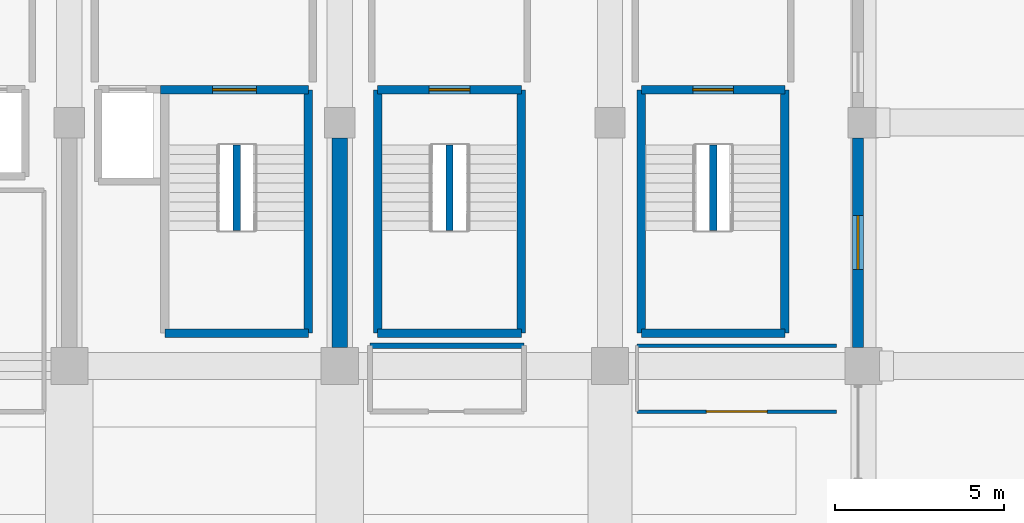
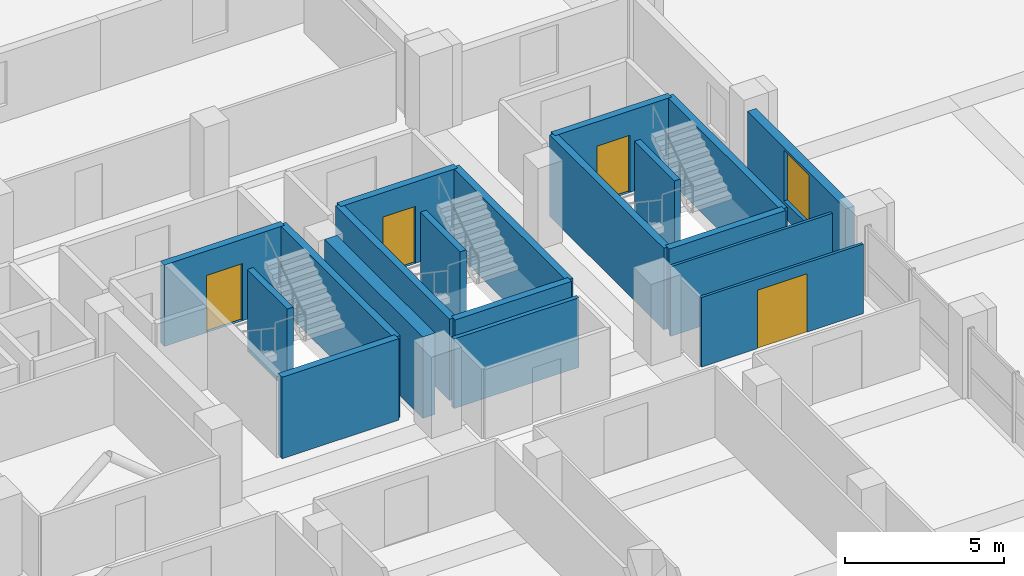
# One storey, part 39 of 49: 19 walls, 4 doors, 1 window, 5 openings.
"""IFC4 building model written with IfcOpenShell, lengths in metres."""

from ifc_helpers import new_model, si_unit, direction, frame, frame_2d, origin, place, context, subcontext, project, spatial, rectangle, extrude, material, layer, layer_set, type_object, element, fill, save


model = new_model("IFC4")

# Units and contexts
model_context = context("Model", 3, precision=1e-05, world=origin(), true_north=direction((0.0, 1.0)))
body_context = subcontext(model_context, "Body", "Model", "MODEL_VIEW")
ifc_project = project(units=[si_unit("LENGTHUNIT", "METRE"), si_unit("AREAUNIT", "SQUARE_METRE"), si_unit("VOLUMEUNIT", "CUBIC_METRE"), si_unit("PLANEANGLEUNIT", "RADIAN"), si_unit("MASSUNIT", "GRAM", prefix="KILO")], contexts=[model_context])

# Site, building, storey
site_placement = place(None, origin())
site = spatial("IfcSite", under=ifc_project, at=site_placement, CompositionType="ELEMENT")
building_placement = place(site_placement, origin())
building = spatial("IfcBuilding", under=site, at=building_placement, Name="Akrevak Sports Hall", CompositionType="ELEMENT")
storey_placement = place(building_placement, frame((0.0, 0.0, 24.14990234375)))
storey = spatial("IfcBuildingStorey", under=building, at=storey_placement, Name="L04", CompositionType="ELEMENT", Elevation=24.14990234375)

# Wall, opening, window
ifc_material_1 = material(Name="Limestone Ashlar", Category="stone")
ifc_layer_1 = layer(ifc_material_1, 0.070068359375, Name="Limestone Ashlar")
ifc_material_2 = material(Name="Mineral Wool Thermal Insulation", Category="insulation")
ifc_layer_2 = layer(ifc_material_2, 0.090087890625, Name="Mineral Wool Thermal Insulation")
ifc_material_3 = material(Name="Concrete C40/50", Category="concrete")
ifc_layer_3 = layer(ifc_material_3, 0.159912109375, Name="Concrete C40/50")
ifc_layer_set_1 = layer_set([ifc_layer_1, ifc_layer_2, ifc_layer_3], Name="Limestone Ashlar / Mineral Wool Thermal Insulation / Concrete C40/50")
wall_type_1 = type_object("IfcWallType", Name="ARC-WL-EXT-320", PredefinedType="SOLIDWALL", material=ifc_layer_set_1)
wall_1_placement = place(storey_placement, frame((115.340087890625, 55.75, 0.0), z_axis=(0.0, 0.0, 1.0), x_axis=(0.0, 1.0, 0.0)))
wall_1 = element("IfcWall", 1, at=wall_1_placement, inside=storey, type_object=wall_type_1, Name="Tower Stone Facade Wall L04-E16", PredefinedType="SOLIDWALL", context=body_context, shape_type="SweptSolid", body=[
    extrude(rectangle(XDim=6.199951171875, YDim=0.320068359375, at=frame_2d((3.10009765625, 0.0))), origin(), (0.0, 0.0, 1.0), 2.68017578125),
])
opening_1_placement = place(wall_1_placement, frame((2.300048828125, 0.0, 0.6201171875)))
opening_1 = element("IfcOpeningElement", 2, at=opening_1_placement, cuts=wall_1, Name="Opening WN-43", PredefinedType="OPENING", context=body_context, shape_type="SweptSolid", body=[
    extrude(rectangle(XDim=1.60009765625, YDim=1.9599609375, at=frame_2d((0.800048828125, 0.97998046875))), frame((0.0, 0.171875, 0.0), z_axis=(0.0, -1.0, 0.0), x_axis=(1.0, 0.0, 0.0)), (0.0, 0.0, 1.0), 0.343994140625),
])
ifc_material_4 = material(Name="Thermally Broken Bronze Frame & Double Low-E Glass", Category="glass")
window_type = type_object("IfcWindowType", Name="ARC-WIN-SZ-1600x1960", PartitioningType="SINGLE_PANEL", PredefinedType="WINDOW", material=ifc_material_4)
window_placement = place(opening_1_placement, origin())
window = element("IfcWindow", 3, at=window_placement, inside=storey, type_object=window_type, Name="Tower Window L04-E16", OverallHeight=1.9599609375, OverallWidth=1.60009765625, PartitioningType="SINGLE_PANEL", PredefinedType="WINDOW", context=body_context, shape_type="SweptSolid", body=[
    extrude(rectangle(XDim=1.60009765625, YDim=1.9599609375, at=frame_2d((0.800048828125, 0.97998046875))), frame((0.0, 0.030029296875, 0.0), z_axis=(0.0, -1.0, 0.0), x_axis=(1.0, 0.0, 0.0)), (0.0, 0.0, 1.0), 0.06005859375),
])
fill(opening_1, window)

# Wall, opening, door
ifc_material_5 = material(Name="Sanitary Cubicle Partition", Category="gypsum")
ifc_layer_4 = layer(ifc_material_5, 0.10009765625, Name="Sanitary Cubicle Partition")
ifc_layer_set_2 = layer_set([ifc_layer_4], Name="Sanitary Cubicle Partition")
wall_type_2 = type_object("IfcWallType", Name="ARC-WL-PRT-100", PredefinedType="PARTITIONING", material=ifc_layer_set_2)
wall_2_placement = place(storey_placement, frame((108.800048828125, 53.85009765625, 0.0), z_axis=(0.0, 0.0, 1.0), x_axis=(1.0, 0.0, 0.0)))
wall_2 = element("IfcWall", 4, at=wall_2_placement, inside=storey, type_object=wall_type_2, Name="Interior Partition Athletic Equipment & Trophy Storage L04 (S)", PredefinedType="PARTITIONING", context=body_context, shape_type="SweptSolid", body=[
    extrude(rectangle(XDim=5.89990234375, YDim=0.10009765625, at=frame_2d((2.949951171875, 0.0))), origin(), (0.0, 0.0, 1.0), 2.68017578125),
])
opening_2_placement = place(wall_2_placement, frame((2.050048828125, 0.0, 0.0)))
opening_2 = element("IfcOpeningElement", 5, at=opening_2_placement, cuts=wall_2, Name="Opening ID-02", PredefinedType="OPENING", context=body_context, shape_type="SweptSolid", body=[
    extrude(rectangle(XDim=1.800048828125, YDim=2.25, at=frame_2d((0.89990234375, 1.125))), frame((0.0, 0.06201171875, 0.0), z_axis=(0.0, -1.0, 0.0), x_axis=(1.0, 0.0, 0.0)), (0.0, 0.0, 1.0), 0.1240234375),
])
ifc_material_6 = material(Name="Hardwood Oak & Safety Glass", Category="wood")
door_type_1 = type_object("IfcDoorType", Name="ARC-DR-HALL-180x225", OperationType="DOUBLE_DOOR_SINGLE_SWING", PredefinedType="DOOR", material=ifc_material_6)
door_1_placement = place(opening_2_placement, origin())
door_1 = element("IfcDoor", 6, at=door_1_placement, inside=storey, type_object=door_type_1, Name="Door to Athletic Equipment & Trophy Storage L04", OperationType="DOUBLE_DOOR_SINGLE_SWING", OverallHeight=2.25, OverallWidth=1.800048828125, PredefinedType="DOOR", context=body_context, shape_type="SweptSolid", body=[
    extrude(rectangle(XDim=1.800048828125, YDim=2.25, at=frame_2d((0.89990234375, 1.125))), frame((0.0, 0.02490234375, 0.0), z_axis=(0.0, -1.0, 0.0), x_axis=(1.0, 0.0, 0.0)), (0.0, 0.0, 1.0), 0.050048828125),
])
fill(opening_2, door_1)

# Walls
wall_3_placement = place(storey_placement, frame((108.800048828125, 55.800048828125, 0.0), z_axis=(0.0, 0.0, 1.0), x_axis=(1.0, 0.0, 0.0)))
element("IfcWall", 7, at=wall_3_placement, inside=storey, type_object=wall_type_2, Name="Interior Partition Athletic Equipment & Trophy Storage L04 (N)", PredefinedType="PARTITIONING", context=body_context, shape_type="SweptSolid", body=[
    extrude(rectangle(XDim=5.89990234375, YDim=0.10009765625, at=frame_2d((2.949951171875, 0.0))), origin(), (0.0, 0.0, 1.0), 2.68017578125),
])
ifc_material_7 = material(Name="Double Stud Acoustic Gypsum Partition", Category="gypsum")
ifc_layer_5 = layer(ifc_material_7, 0.14990234375, Name="Double Stud Acoustic Gypsum Partition")
ifc_layer_set_3 = layer_set([ifc_layer_5], Name="Double Stud Acoustic Gypsum Partition")
wall_type_3 = type_object("IfcWallType", Name="ARC-WL-PRT-150", PredefinedType="PARTITIONING", material=ifc_layer_set_3)
wall_4_placement = place(storey_placement, frame((100.89990234375, 55.800048828125, 0.0), z_axis=(0.0, 0.0, 1.0), x_axis=(1.0, 0.0, 0.0)))
element("IfcWall", 8, at=wall_4_placement, inside=storey, type_object=wall_type_3, Name="Interior Partition Tournament Operations Office L04-E2 (N)", PredefinedType="PARTITIONING", context=body_context, shape_type="SweptSolid", body=[
    extrude(rectangle(XDim=4.550048828125, YDim=0.14990234375, at=frame_2d((2.27490234375, 0.0))), origin(), (0.0, 0.0, 1.0), 2.68017578125),
])
ifc_layer_6 = layer(ifc_material_3, 0.219970703125, Name="Concrete C40/50")
ifc_layer_set_4 = layer_set([ifc_layer_6], Name="Concrete C40/50")
wall_type_4 = type_object("IfcWallType", Name="ARC-WL-PRT-220", PredefinedType="PARTITIONING", material=ifc_layer_set_4)
for number, where, z_axis, x_axis, name in (
    (9, (96.949951171875, 59.215087890625, 0.0), (0.0, 0.0, 1.0), (0.0, 1.0, 0.0), "Stair ST2 Central Spine Wall (L04)"),
    (10, (103.25, 59.215087890625, 0.0), (0.0, 0.0, 1.0), (0.0, 1.0, 0.0), "Stair ST10 Central Spine Wall (L04)"),
    (11, (111.050048828125, 59.215087890625, 0.0), (0.0, 0.0, 1.0), (0.0, 1.0, 0.0), "Stair ST11 Central Spine Wall (L04)"),
):
    element("IfcWall", number, at=place(storey_placement, frame(where, z_axis=z_axis, x_axis=x_axis)), inside=storey, type_object=wall_type_4, Name=name, PredefinedType="PARTITIONING", context=body_context, shape_type="SweptSolid", body=[
        extrude(rectangle(XDim=2.52001953125, YDim=0.219970703125, at=frame_2d((1.260009765625, 0.0))), origin(), (0.0, 0.0, 1.0), 3.14013671875),
    ])
ifc_material_8 = material(Name="Concrete C50/60", Category="concrete")
ifc_layer_7 = layer(ifc_material_8, 0.449951171875, Name="Concrete C50/60")
ifc_layer_set_5 = layer_set([ifc_layer_7], Name="Concrete C50/60")
wall_type_5 = type_object("IfcWallType", Name="STR-WL-CORE-450", PredefinedType="SHEAR", material=ifc_layer_set_5)
wall_5_placement = place(storey_placement, frame((100.0, 55.75, 0.0), z_axis=(0.0, 0.0, 1.0), x_axis=(0.0, 1.0, 0.0)))
element("IfcWall", 12, at=wall_5_placement, inside=storey, type_object=wall_type_5, Name="Reinforced Concrete Shear Wall SW-E2 (L04)", PredefinedType="SHEAR", context=body_context, shape_type="SweptSolid", body=[
    extrude(rectangle(XDim=6.199951171875, YDim=0.449951171875, at=frame_2d((3.10009765625, 0.0))), origin(), (0.0, 0.0, 1.0), 3.14013671875),
])
ifc_layer_8 = layer(ifc_material_8, 0.25, Name="Concrete C50/60")
ifc_layer_set_6 = layer_set([ifc_layer_8], Name="Concrete C50/60")
wall_type_6 = type_object("IfcWallType", Name="STR-WL-STAIR-250", PredefinedType="SHEAR", material=ifc_layer_set_6)
wall_6_placement = place(storey_placement, frame((94.824951171875, 56.175048828125, 0.0), z_axis=(0.0, 0.0, 1.0), x_axis=(1.0, 0.0, 0.0)))
element("IfcWall", 13, at=wall_6_placement, inside=storey, type_object=wall_type_6, Name="Stair Core ST2 Shear Wall S (L04)", PredefinedType="SHEAR", context=body_context, shape_type="SweptSolid", body=[
    extrude(rectangle(XDim=4.25, YDim=0.25, at=frame_2d((2.125, 0.0))), origin(), (0.0, 0.0, 1.0), 3.14013671875),
])

# Wall, opening, door
wall_7_placement = place(storey_placement, frame((99.074951171875, 63.375, 0.0), z_axis=(0.0, 0.0, 1.0), x_axis=(-1.0, 0.0, 0.0)))
wall_7 = element("IfcWall", 14, at=wall_7_placement, inside=storey, type_object=wall_type_6, Name="Stair Core ST2 Shear Wall N (L04)", PredefinedType="SHEAR", context=body_context, shape_type="SweptSolid", body=[
    extrude(rectangle(XDim=4.375, YDim=0.25, at=frame_2d((2.1875, 0.0))), origin(), (0.0, 0.0, 1.0), 3.14013671875),
])
opening_3_placement = place(wall_7_placement, frame((1.53759765625, 0.0, 0.0)))
opening_3 = element("IfcOpeningElement", 15, at=opening_3_placement, cuts=wall_7, Name="Opening SD-01", PredefinedType="OPENING", context=body_context, shape_type="SweptSolid", body=[
    extrude(rectangle(XDim=1.300048828125, YDim=2.199951171875, at=frame_2d((0.64990234375, 1.10009765625))), frame((0.0, 0.136962890625, 0.0), z_axis=(0.0, -1.0, 0.0), x_axis=(1.0, 0.0, 0.0)), (0.0, 0.0, 1.0), 0.27392578125),
])
ifc_material_9 = material(Name="Fire-Rated Galvanized Door Steel", Category="steel")
door_type_2 = type_object("IfcDoorType", Name="ARC-DR-STAIR-130x220", OperationType="NOTDEFINED", PredefinedType="DOOR", material=ifc_material_9)
door_2_placement = place(opening_3_placement, origin())
door_2 = element("IfcDoor", 16, at=door_2_placement, inside=storey, type_object=door_type_2, Name="Exit Stair ST2 Door (L04)", OperationType="SINGLE_SWING_LEFT", OverallHeight=2.199951171875, OverallWidth=1.300048828125, PredefinedType="DOOR", context=body_context, shape_type="SweptSolid", body=[
    extrude(rectangle(XDim=1.300048828125, YDim=2.199951171875, at=frame_2d((0.64990234375, 1.10009765625))), frame((0.0, 0.02490234375, 0.0), z_axis=(0.0, -1.0, 0.0), x_axis=(1.0, 0.0, 0.0)), (0.0, 0.0, 1.0), 0.050048828125),
])
fill(opening_3, door_2)

# Walls
wall_8_placement = place(storey_placement, frame((99.074951171875, 56.175048828125, 0.0), z_axis=(0.0, 0.0, 1.0), x_axis=(0.0, 1.0, 0.0)))
element("IfcWall", 17, at=wall_8_placement, inside=storey, type_object=wall_type_6, Name="Stair Core ST2 Shear Wall E (L04)", PredefinedType="SHEAR", context=body_context, shape_type="SweptSolid", body=[
    extrude(rectangle(XDim=7.199951171875, YDim=0.25, at=frame_2d((3.60009765625, 0.0))), origin(), (0.0, 0.0, 1.0), 3.14013671875),
])
wall_9_placement = place(storey_placement, frame((101.125, 56.175048828125, 0.0), z_axis=(0.0, 0.0, 1.0), x_axis=(1.0, 0.0, 0.0)))
element("IfcWall", 18, at=wall_9_placement, inside=storey, type_object=wall_type_6, Name="Stair Core ST10 Shear Wall S (L04)", PredefinedType="SHEAR", context=body_context, shape_type="SweptSolid", body=[
    extrude(rectangle(XDim=4.25, YDim=0.25, at=frame_2d((2.125, 0.0))), origin(), (0.0, 0.0, 1.0), 3.14013671875),
])

# Wall, opening, door
wall_10_placement = place(storey_placement, frame((105.375, 63.375, 0.0), z_axis=(0.0, 0.0, 1.0), x_axis=(-1.0, 0.0, 0.0)))
wall_10 = element("IfcWall", 19, at=wall_10_placement, inside=storey, type_object=wall_type_6, Name="Stair Core ST10 Shear Wall N (L04)", PredefinedType="SHEAR", context=body_context, shape_type="SweptSolid", body=[
    extrude(rectangle(XDim=4.25, YDim=0.25, at=frame_2d((2.125, 0.0))), origin(), (0.0, 0.0, 1.0), 3.14013671875),
])
opening_4_placement = place(wall_10_placement, frame((1.52490234375, 0.0, 0.0)))
opening_4 = element("IfcOpeningElement", 20, at=opening_4_placement, cuts=wall_10, Name="Opening SD-02", PredefinedType="OPENING", context=body_context, shape_type="SweptSolid", body=[
    extrude(rectangle(XDim=1.199951171875, YDim=2.199951171875, at=frame_2d((0.60009765625, 1.10009765625))), frame((0.0, 0.136962890625, 0.0), z_axis=(0.0, -1.0, 0.0), x_axis=(1.0, 0.0, 0.0)), (0.0, 0.0, 1.0), 0.27392578125),
])
door_type_3 = type_object("IfcDoorType", Name="ARC-DR-STAIR-120x220", OperationType="NOTDEFINED", PredefinedType="DOOR", material=ifc_material_9)
door_3_placement = place(opening_4_placement, origin())
door_3 = element("IfcDoor", 21, at=door_3_placement, inside=storey, type_object=door_type_3, Name="Exit Stair ST10 Door (L04)", OperationType="SINGLE_SWING_LEFT", OverallHeight=2.199951171875, OverallWidth=1.199951171875, PredefinedType="DOOR", context=body_context, shape_type="SweptSolid", body=[
    extrude(rectangle(XDim=1.199951171875, YDim=2.199951171875, at=frame_2d((0.60009765625, 1.10009765625))), frame((0.0, 0.02490234375, 0.0), z_axis=(0.0, -1.0, 0.0), x_axis=(1.0, 0.0, 0.0)), (0.0, 0.0, 1.0), 0.050048828125),
])
fill(opening_4, door_3)

# Walls
for number, where, z_axis, x_axis, name in (
    (22, (101.125, 63.375, 0.0), (0.0, 0.0, 1.0), (0.0, -1.0, 0.0), "Stair Core ST10 Shear Wall W (L04)"),
    (23, (105.375, 56.175048828125, 0.0), (0.0, 0.0, 1.0), (0.0, 1.0, 0.0), "Stair Core ST10 Shear Wall E (L04)"),
):
    element("IfcWall", number, at=place(storey_placement, frame(where, z_axis=z_axis, x_axis=x_axis)), inside=storey, type_object=wall_type_6, Name=name, PredefinedType="SHEAR", context=body_context, shape_type="SweptSolid", body=[
        extrude(rectangle(XDim=7.199951171875, YDim=0.25, at=frame_2d((3.60009765625, 0.0))), origin(), (0.0, 0.0, 1.0), 3.14013671875),
    ])
wall_11_placement = place(storey_placement, frame((108.925048828125, 56.175048828125, 0.0), z_axis=(0.0, 0.0, 1.0), x_axis=(1.0, 0.0, 0.0)))
element("IfcWall", 24, at=wall_11_placement, inside=storey, type_object=wall_type_6, Name="Stair Core ST11 Shear Wall S (L04)", PredefinedType="SHEAR", context=body_context, shape_type="SweptSolid", body=[
    extrude(rectangle(XDim=4.25, YDim=0.25, at=frame_2d((2.125, 0.0))), origin(), (0.0, 0.0, 1.0), 3.14013671875),
])

# Wall, opening, door
wall_12_placement = place(storey_placement, frame((113.175048828125, 63.375, 0.0), z_axis=(0.0, 0.0, 1.0), x_axis=(-1.0, 0.0, 0.0)))
wall_12 = element("IfcWall", 25, at=wall_12_placement, inside=storey, type_object=wall_type_6, Name="Stair Core ST11 Shear Wall N (L04)", PredefinedType="SHEAR", context=body_context, shape_type="SweptSolid", body=[
    extrude(rectangle(XDim=4.25, YDim=0.25, at=frame_2d((2.125, 0.0))), origin(), (0.0, 0.0, 1.0), 3.14013671875),
])
opening_5_placement = place(wall_12_placement, frame((1.52490234375, 0.0, 0.0)))
opening_5 = element("IfcOpeningElement", 26, at=opening_5_placement, cuts=wall_12, Name="Opening SD-02", PredefinedType="OPENING", context=body_context, shape_type="SweptSolid", body=[
    extrude(rectangle(XDim=1.199951171875, YDim=2.199951171875, at=frame_2d((0.60009765625, 1.10009765625))), frame((0.0, 0.136962890625, 0.0), z_axis=(0.0, -1.0, 0.0), x_axis=(1.0, 0.0, 0.0)), (0.0, 0.0, 1.0), 0.27392578125),
])
door_4_placement = place(opening_5_placement, origin())
door_4 = element("IfcDoor", 27, at=door_4_placement, inside=storey, type_object=door_type_3, Name="Exit Stair ST11 Door (L04)", OperationType="SINGLE_SWING_RIGHT", OverallHeight=2.199951171875, OverallWidth=1.199951171875, PredefinedType="DOOR", context=body_context, shape_type="SweptSolid", body=[
    extrude(rectangle(XDim=1.199951171875, YDim=2.199951171875, at=frame_2d((0.60009765625, 1.10009765625))), frame((0.0, 0.02490234375, 0.0), z_axis=(0.0, -1.0, 0.0), x_axis=(1.0, 0.0, 0.0)), (0.0, 0.0, 1.0), 0.050048828125),
])
fill(opening_5, door_4)

# Walls
for number, where, z_axis, x_axis, name in (
    (28, (108.925048828125, 63.375, 0.0), (0.0, 0.0, 1.0), (0.0, -1.0, 0.0), "Stair Core ST11 Shear Wall W (L04)"),
    (29, (113.175048828125, 56.175048828125, 0.0), (0.0, 0.0, 1.0), (0.0, 1.0, 0.0), "Stair Core ST11 Shear Wall E (L04)"),
):
    element("IfcWall", number, at=place(storey_placement, frame(where, z_axis=z_axis, x_axis=x_axis)), inside=storey, type_object=wall_type_6, Name=name, PredefinedType="SHEAR", context=body_context, shape_type="SweptSolid", body=[
        extrude(rectangle(XDim=7.199951171875, YDim=0.25, at=frame_2d((3.60009765625, 0.0))), origin(), (0.0, 0.0, 1.0), 3.14013671875),
    ])

save(model, "model.ifc")
